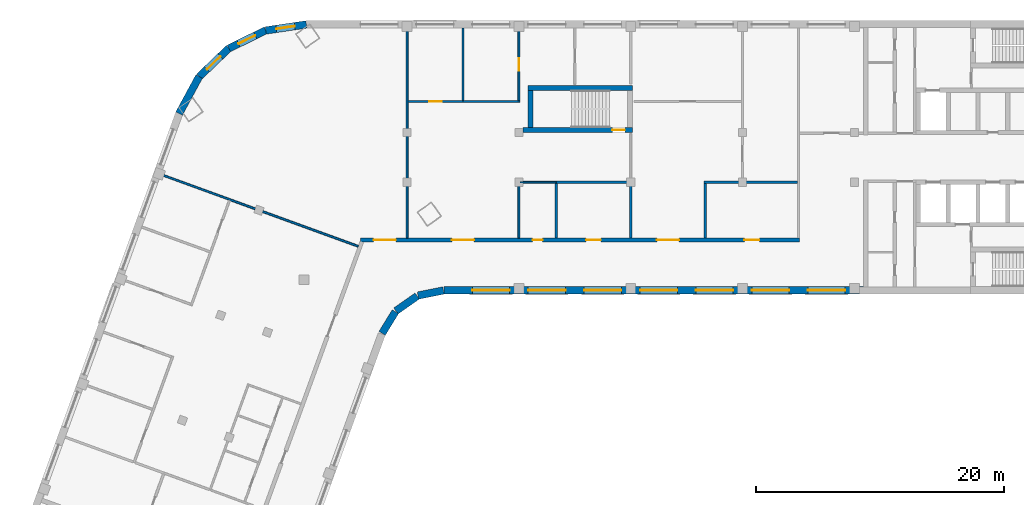
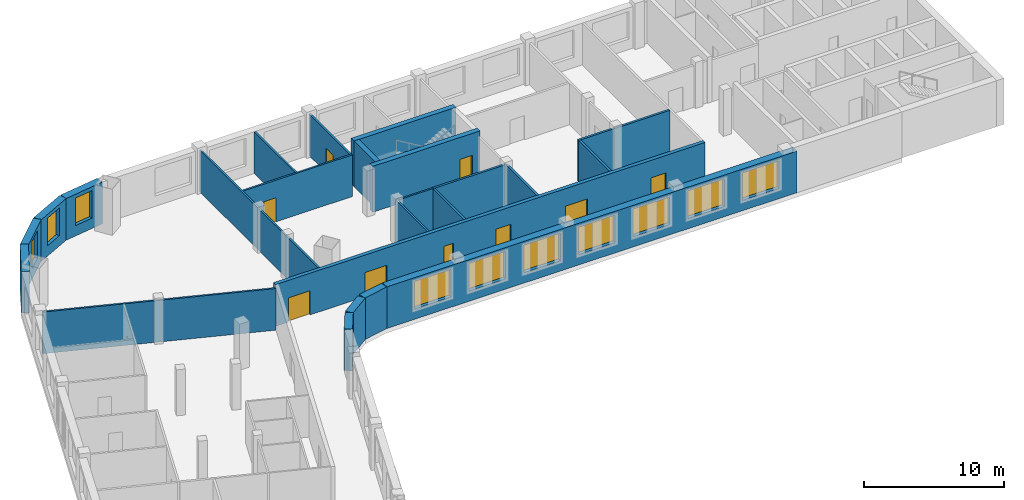
# One storey, part 4 of 8: 24 walls, 10 windows, 9 doors, 19 openings.
"""IFC4 building model written with IfcOpenShell, lengths in metres."""

from ifc_helpers import new_model, si_unit, direction, frame, frame_2d, origin, place, context, subcontext, project, spatial, rectangle, extrude, material, layer, layer_set, type_object, element, fill, save


model = new_model("IFC4")

# Units and contexts
model_context = context("Model", 3, precision=1e-05, world=origin(), true_north=direction((0.0, 1.0)))
body_context = subcontext(model_context, "Body", "Model", "MODEL_VIEW")
ifc_project = project(units=[si_unit("LENGTHUNIT", "METRE"), si_unit("AREAUNIT", "SQUARE_METRE"), si_unit("VOLUMEUNIT", "CUBIC_METRE"), si_unit("PLANEANGLEUNIT", "RADIAN"), si_unit("MASSUNIT", "GRAM", prefix="KILO")], contexts=[model_context])

# Site, building, storey
site_placement = place(None, origin())
site = spatial("IfcSite", under=ifc_project, at=site_placement, CompositionType="ELEMENT")
building_placement = place(site_placement, origin())
building = spatial("IfcBuilding", under=site, at=building_placement, Name="Skarvind Civic Tower", CompositionType="ELEMENT")
storey_placement = place(building_placement, frame((0.0, 0.0, 138.5)))
storey = spatial("IfcBuildingStorey", under=building, at=storey_placement, Name="L32", CompositionType="ELEMENT", Elevation=138.5)

# Walls
ifc_material_1 = material(Name="Acoustic gypsum board on steel studs", Category="steel")
ifc_layer_1 = layer(ifc_material_1, 0.175048828125)
ifc_layer_set_1 = layer_set([ifc_layer_1], Name="ACOUSTIC MEETING-ROOM PARTITION 175")
wall_type_1 = type_object("IfcWallType", Name="ACOUSTIC MEETING-ROOM PARTITION 175", PredefinedType="PARTITIONING", material=ifc_layer_set_1)
wall_1_placement = place(storey_placement, frame((66.25, 121.5, 0.0), z_axis=(0.0, 0.0, 1.0), x_axis=(0.0, 1.0, 0.0)))
element("IfcWall", 1, at=wall_1_placement, inside=storey, type_object=wall_type_1, Name="Partition 32.028", PredefinedType="PARTITIONING", context=body_context, shape_type="SweptSolid", body=[
    extrude(rectangle(XDim=4.412109375, YDim=0.175048828125, at=frame_2d((2.2060546875, 0.0))), origin(), (0.0, 0.0, 1.0), 3.625),
])
wall_2_placement = place(storey_placement, frame((66.25, 126.0, 0.0), z_axis=(0.0, 0.0, 1.0), x_axis=(1.0, 0.0, 0.0)))
element("IfcWall", 2, at=wall_2_placement, inside=storey, type_object=wall_type_1, Name="Partition 32.030", PredefinedType="PARTITIONING", context=body_context, shape_type="SweptSolid", body=[
    extrude(rectangle(XDim=6.0, YDim=0.175048828125, at=frame_2d((3.0, 0.0))), origin(), (0.0, 0.0, 1.0), 3.625),
])
wall_3_placement = place(storey_placement, frame((72.25, 121.5, 0.0), z_axis=(0.0, 0.0, 1.0), x_axis=(0.0, 1.0, 0.0)))
element("IfcWall", 3, at=wall_3_placement, inside=storey, type_object=wall_type_1, Name="Partition 32.032", PredefinedType="PARTITIONING", context=body_context, shape_type="SweptSolid", body=[
    extrude(rectangle(XDim=4.427978515625, YDim=0.175048828125, at=frame_2d((2.2138671875, 0.0))), origin(), (0.0, 0.0, 1.0), 3.625),
])
wall_4_placement = place(storey_placement, frame((78.25, 125.912109375, 0.0), z_axis=(0.0, 0.0, 1.0), x_axis=(0.0, -1.0, 0.0)))
element("IfcWall", 4, at=wall_4_placement, inside=storey, type_object=wall_type_1, Name="Partition 32.035", PredefinedType="PARTITIONING", context=body_context, shape_type="SweptSolid", body=[
    extrude(rectangle(XDim=4.412109375, YDim=0.175048828125, at=frame_2d((2.2060546875, 0.0))), origin(), (0.0, 0.0, 1.0), 3.625),
])
wall_5_placement = place(storey_placement, frame((78.162109375, 126.0, 0.0), z_axis=(0.0, 0.0, 1.0), x_axis=(1.0, 0.0, 0.0)))
element("IfcWall", 5, at=wall_5_placement, inside=storey, type_object=wall_type_1, Name="Partition 32.036", PredefinedType="PARTITIONING", context=body_context, shape_type="SweptSolid", body=[
    extrude(rectangle(XDim=7.5, YDim=0.175048828125, at=frame_2d((3.75, 0.0))), origin(), (0.0, 0.0, 1.0), 3.625),
])

# Wall, openings, doors
ifc_material_2 = material(Name="Fire-rated gypsum board on steel studs", Category="steel")
ifc_layer_2 = layer(ifc_material_2, 0.300048828125)
ifc_layer_set_2 = layer_set([ifc_layer_2], Name="CORRIDOR WALL 300")
wall_type_2 = type_object("IfcWallType", Name="CORRIDOR WALL 300", PredefinedType="PARTITIONING", material=ifc_layer_set_2)
wall_6_placement = place(storey_placement, frame((50.506103515625, 121.35009765625, 0.0), z_axis=(0.0, 0.0, 1.0), x_axis=(1.0, 0.0, 0.0)))
wall_6 = element("IfcWall", 6, at=wall_6_placement, inside=storey, type_object=wall_type_2, Name="Partition 32.022", PredefinedType="PARTITIONING", context=body_context, shape_type="SweptSolid", body=[
    extrude(rectangle(XDim=35.331787109375, YDim=0.300048828125, at=frame_2d((17.666015625, 0.0))), origin(), (0.0, 0.0, 1.0), 3.625),
])
opening_1_placement = place(wall_6_placement, frame((30.89404296875, 0.0, 0.0)))
opening_1 = element("IfcOpeningElement", 7, at=opening_1_placement, cuts=wall_6, Name="Opening L32-D002", PredefinedType="OPENING", context=body_context, shape_type="SweptSolid", body=[
    extrude(rectangle(XDim=1.199951171875, YDim=2.10009765625, at=frame_2d((0.60009765625, 1.050048828125))), frame((0.0, 0.159912109375, 0.0), z_axis=(0.0, -1.0, 0.0), x_axis=(1.0, 0.0, 0.0)), (0.0, 0.0, 1.0), 0.320068359375),
])
opening_2_placement = place(wall_6_placement, frame((23.843994140625, 0.0, 0.0)))
opening_2 = element("IfcOpeningElement", 8, at=opening_2_placement, cuts=wall_6, Name="Opening L32-D004", PredefinedType="OPENING", context=body_context, shape_type="SweptSolid", body=[
    extrude(rectangle(XDim=1.800048828125, YDim=2.10009765625, at=frame_2d((0.89990234375, 1.050048828125))), frame((0.0, 0.159912109375, 0.0), z_axis=(0.0, -1.0, 0.0), x_axis=(1.0, 0.0, 0.0)), (0.0, 0.0, 1.0), 0.320068359375),
])
opening_3_placement = place(wall_6_placement, frame((18.14404296875, 0.0, 0.0)))
opening_3 = element("IfcOpeningElement", 9, at=opening_3_placement, cuts=wall_6, Name="Opening L32-D005", PredefinedType="OPENING", context=body_context, shape_type="SweptSolid", body=[
    extrude(rectangle(XDim=1.199951171875, YDim=2.10009765625, at=frame_2d((0.60009765625, 1.050048828125))), frame((0.0, 0.159912109375, 0.0), z_axis=(0.0, -1.0, 0.0), x_axis=(1.0, 0.0, 0.0)), (0.0, 0.0, 1.0), 0.320068359375),
])
opening_4_placement = place(wall_6_placement, frame((13.843994140625, 0.0, 0.0)))
opening_4 = element("IfcOpeningElement", 10, at=opening_4_placement, cuts=wall_6, Name="Opening L32-D006", PredefinedType="OPENING", context=body_context, shape_type="SweptSolid", body=[
    extrude(rectangle(XDim=0.800048828125, YDim=2.10009765625, at=frame_2d((0.39990234375, 1.050048828125))), frame((0.0, 0.159912109375, 0.0), z_axis=(0.0, -1.0, 0.0), x_axis=(1.0, 0.0, 0.0)), (0.0, 0.0, 1.0), 0.320068359375),
])
opening_5_placement = place(wall_6_placement, frame((7.343994140625, 0.0, 0.0)))
opening_5 = element("IfcOpeningElement", 11, at=opening_5_placement, cuts=wall_6, Name="Opening L32-D010", PredefinedType="OPENING", context=body_context, shape_type="SweptSolid", body=[
    extrude(rectangle(XDim=1.800048828125, YDim=2.10009765625, at=frame_2d((0.89990234375, 1.050048828125))), frame((0.0, 0.159912109375, 0.0), z_axis=(0.0, -1.0, 0.0), x_axis=(1.0, 0.0, 0.0)), (0.0, 0.0, 1.0), 0.320068359375),
])
opening_6_placement = place(wall_6_placement, frame((1.047119140625, 0.0, 0.0)))
opening_6 = element("IfcOpeningElement", 12, at=opening_6_placement, cuts=wall_6, Name="Opening L32-D021", PredefinedType="OPENING", context=body_context, shape_type="SweptSolid", body=[
    extrude(rectangle(XDim=1.800048828125, YDim=2.10009765625, at=frame_2d((0.89990234375, 1.050048828125))), frame((0.0, 0.159912109375, 0.0), z_axis=(0.0, -1.0, 0.0), x_axis=(1.0, 0.0, 0.0)), (0.0, 0.0, 1.0), 0.320068359375),
])
ifc_material_3 = material(Name="Fire-rated timber door leaf", Category="wood")
door_type_1 = type_object("IfcDoorType", Name="FD4 1800x2100", OperationType="NOTDEFINED", PredefinedType="DOOR", material=ifc_material_3)
door_1_placement = place(opening_2_placement, origin())
door_1 = element("IfcDoor", 13, at=door_1_placement, inside=storey, type_object=door_type_1, Name="Door L32-D004", OperationType="DOUBLE_DOOR_SINGLE_SWING", OverallHeight=2.10009765625, OverallWidth=1.800048828125, PredefinedType="DOOR", context=body_context, shape_type="SweptSolid", body=[
    extrude(rectangle(XDim=1.800048828125, YDim=2.10009765625, at=frame_2d((0.89990234375, 1.050048828125))), frame((0.0, 0.02490234375, 0.0), z_axis=(0.0, -1.0, 0.0), x_axis=(1.0, 0.0, 0.0)), (0.0, 0.0, 1.0), 0.050048828125),
])
fill(opening_2, door_1)
door_2_placement = place(opening_5_placement, origin())
door_2 = element("IfcDoor", 14, at=door_2_placement, inside=storey, type_object=door_type_1, Name="Door L32-D010", OperationType="DOUBLE_DOOR_SINGLE_SWING", OverallHeight=2.10009765625, OverallWidth=1.800048828125, PredefinedType="DOOR", context=body_context, shape_type="SweptSolid", body=[
    extrude(rectangle(XDim=1.800048828125, YDim=2.10009765625, at=frame_2d((0.89990234375, 1.050048828125))), frame((0.0, 0.02490234375, 0.0), z_axis=(0.0, -1.0, 0.0), x_axis=(1.0, 0.0, 0.0)), (0.0, 0.0, 1.0), 0.050048828125),
])
fill(opening_5, door_2)
door_3_placement = place(opening_6_placement, origin())
door_3 = element("IfcDoor", 15, at=door_3_placement, inside=storey, type_object=door_type_1, Name="Door L32-D021", OperationType="DOUBLE_DOOR_SINGLE_SWING", OverallHeight=2.10009765625, OverallWidth=1.800048828125, PredefinedType="DOOR", context=body_context, shape_type="SweptSolid", body=[
    extrude(rectangle(XDim=1.800048828125, YDim=2.10009765625, at=frame_2d((0.89990234375, 1.050048828125))), frame((0.0, 0.02490234375, 0.0), z_axis=(0.0, -1.0, 0.0), x_axis=(1.0, 0.0, 0.0)), (0.0, 0.0, 1.0), 0.050048828125),
])
fill(opening_6, door_3)
door_type_2 = type_object("IfcDoorType", Name="FD5 800x2100", OperationType="NOTDEFINED", PredefinedType="DOOR", material=ifc_material_3)
door_4_placement = place(opening_4_placement, origin())
door_4 = element("IfcDoor", 16, at=door_4_placement, inside=storey, type_object=door_type_2, Name="Door L32-D006", OperationType="SINGLE_SWING_LEFT", OverallHeight=2.10009765625, OverallWidth=0.800048828125, PredefinedType="DOOR", context=body_context, shape_type="SweptSolid", body=[
    extrude(rectangle(XDim=0.800048828125, YDim=2.10009765625, at=frame_2d((0.39990234375, 1.050048828125))), frame((0.0, 0.02490234375, 0.0), z_axis=(0.0, -1.0, 0.0), x_axis=(1.0, 0.0, 0.0)), (0.0, 0.0, 1.0), 0.050048828125),
])
fill(opening_4, door_4)
door_type_3 = type_object("IfcDoorType", Name="FD6 1200x2100 DOUBLE", OperationType="NOTDEFINED", PredefinedType="DOOR", material=ifc_material_3)
door_5_placement = place(opening_1_placement, origin())
door_5 = element("IfcDoor", 17, at=door_5_placement, inside=storey, type_object=door_type_3, Name="Door L32-D002", OperationType="DOUBLE_DOOR_SINGLE_SWING", OverallHeight=2.10009765625, OverallWidth=1.199951171875, PredefinedType="DOOR", context=body_context, shape_type="SweptSolid", body=[
    extrude(rectangle(XDim=1.199951171875, YDim=2.10009765625, at=frame_2d((0.60009765625, 1.050048828125))), frame((0.0, 0.02490234375, 0.0), z_axis=(0.0, -1.0, 0.0), x_axis=(1.0, 0.0, 0.0)), (0.0, 0.0, 1.0), 0.050048828125),
])
fill(opening_1, door_5)
door_6_placement = place(opening_3_placement, origin())
door_6 = element("IfcDoor", 18, at=door_6_placement, inside=storey, type_object=door_type_3, Name="Door L32-D005", OperationType="DOUBLE_DOOR_SINGLE_SWING", OverallHeight=2.10009765625, OverallWidth=1.199951171875, PredefinedType="DOOR", context=body_context, shape_type="SweptSolid", body=[
    extrude(rectangle(XDim=1.199951171875, YDim=2.10009765625, at=frame_2d((0.60009765625, 1.050048828125))), frame((0.0, 0.02490234375, 0.0), z_axis=(0.0, -1.0, 0.0), x_axis=(1.0, 0.0, 0.0)), (0.0, 0.0, 1.0), 0.050048828125),
])
fill(opening_3, door_6)

# Wall, opening, door
ifc_material_4 = material(Name="Concrete C60", Category="concrete")
ifc_layer_3 = layer(ifc_material_4, 0.39990234375)
ifc_layer_set_3 = layer_set([ifc_layer_3], Name="Core wall 400 C60")
wall_type_3 = type_object("IfcWallType", Name="Core wall 400 C60", PredefinedType="SHEAR", material=ifc_layer_set_3)
wall_7_placement = place(storey_placement, frame((63.574951171875, 130.199951171875, 0.0), z_axis=(0.0, 0.0, 1.0), x_axis=(1.0, 0.0, 0.0)))
wall_7 = element("IfcWall", 19, at=wall_7_placement, inside=storey, type_object=wall_type_3, Name="Core wall CM inner L32", PredefinedType="SHEAR", context=body_context, shape_type="SweptSolid", body=[
    extrude(rectangle(XDim=8.824951171875, YDim=0.39990234375, at=frame_2d((4.41259765625, 0.0))), origin(), (0.0, 0.0, 1.0), 4.0),
])
opening_7_placement = place(wall_7_placement, frame((7.199951171875, 0.0, 0.0)))
opening_7 = element("IfcOpeningElement", 20, at=opening_7_placement, cuts=wall_7, Name="Opening D-L32-CM-01", PredefinedType="OPENING", context=body_context, shape_type="SweptSolid", body=[
    extrude(rectangle(XDim=1.0, YDim=2.10009765625, at=frame_2d((0.5, 1.050048828125))), frame((0.0, 0.2099609375, 0.0), z_axis=(0.0, -1.0, 0.0), x_axis=(1.0, 0.0, 0.0)), (0.0, 0.0, 1.0), 0.419921875),
])
ifc_material_5 = material(Name="Fire-rated steel door", Category="steel")
door_type_4 = type_object("IfcDoorType", Name="Fire door 1000", OperationType="NOTDEFINED", PredefinedType="DOOR", material=ifc_material_5)
door_7_placement = place(opening_7_placement, origin())
door_7 = element("IfcDoor", 21, at=door_7_placement, inside=storey, type_object=door_type_4, Name="Fire door", OperationType="SINGLE_SWING_LEFT", OverallHeight=2.10009765625, OverallWidth=1.0, PredefinedType="DOOR", context=body_context, shape_type="SweptSolid", body=[
    extrude(rectangle(XDim=1.0, YDim=2.10009765625, at=frame_2d((0.5, 1.050048828125))), frame((0.0, 0.02490234375, 0.0), z_axis=(0.0, -1.0, 0.0), x_axis=(1.0, 0.0, 0.0)), (0.0, 0.0, 1.0), 0.050048828125),
])
fill(opening_7, door_7)

# Walls
wall_8_placement = place(storey_placement, frame((64.0, 133.60009765625, 0.0), z_axis=(0.0, 0.0, 1.0), x_axis=(1.0, 0.0, 0.0)))
element("IfcWall", 22, at=wall_8_placement, inside=storey, type_object=wall_type_3, Name="Core wall CM outer L32", PredefinedType="SHEAR", context=body_context, shape_type="SweptSolid", body=[
    extrude(rectangle(XDim=8.39990234375, YDim=0.39990234375, at=frame_2d((4.199951171875, 0.0))), origin(), (0.0, 0.0, 1.0), 4.0),
])
wall_9_placement = place(storey_placement, frame((64.199951171875, 130.39990234375, 0.0), z_axis=(0.0, 0.0, 1.0), x_axis=(0.0, 1.0, 0.0)))
element("IfcWall", 23, at=wall_9_placement, inside=storey, type_object=wall_type_3, Name="Core wall CM west L32", PredefinedType="SHEAR", context=body_context, shape_type="SweptSolid", body=[
    extrude(rectangle(XDim=3.0, YDim=0.39990234375, at=frame_2d((1.5, 0.0))), origin(), (0.0, 0.0, 1.0), 4.0),
])
ifc_material_6 = material(Name="Plasterboard partition on steel studs", Category="steel")
ifc_layer_4 = layer(ifc_material_6, 0.14990234375)
ifc_layer_set_4 = layer_set([ifc_layer_4], Name="PARTITION 150")
wall_type_4 = type_object("IfcWallType", Name="PARTITION 150", PredefinedType="PARTITIONING", material=ifc_layer_set_4)
wall_10_placement = place(storey_placement, frame((34.430908203125, 126.6240234375, 0.0), z_axis=(0.0, 0.0, 1.0), x_axis=(0.939678226331, -0.342059689177, 0.0)))
element("IfcWall", 24, at=wall_10_placement, inside=storey, type_object=wall_type_4, Name="Partition 32.006", PredefinedType="PARTITIONING", context=body_context, shape_type="SweptSolid", body=[
    extrude(rectangle(XDim=16.900634765625, YDim=0.14990234375, at=frame_2d((8.4501953125, 0.0))), origin(), (0.0, 0.0, 1.0), 3.625),
])
wall_11_placement = place(storey_placement, frame((54.25, 121.5, 0.0), z_axis=(0.0, 0.0, 1.0), x_axis=(0.0, 1.0, 0.0)))
element("IfcWall", 25, at=wall_11_placement, inside=storey, type_object=wall_type_4, Name="Partition 32.023", PredefinedType="PARTITIONING", context=body_context, shape_type="SweptSolid", body=[
    extrude(rectangle(XDim=16.89990234375, YDim=0.14990234375, at=frame_2d((8.449951171875, 0.0))), origin(), (0.0, 0.0, 1.0), 3.625),
])

# Wall, opening, door
wall_12_placement = place(storey_placement, frame((63.324951171875, 132.5, 0.0), z_axis=(0.0, 0.0, 1.0), x_axis=(-1.0, 0.0, 0.0)))
wall_12 = element("IfcWall", 26, at=wall_12_placement, inside=storey, type_object=wall_type_4, Name="Partition 32.024", PredefinedType="PARTITIONING", context=body_context, shape_type="SweptSolid", body=[
    extrude(rectangle(XDim=9.0, YDim=0.14990234375, at=frame_2d((4.5, 0.0))), origin(), (0.0, 0.0, 1.0), 3.625),
])
opening_8_placement = place(wall_12_placement, frame((6.297607421875, 0.0, 0.0)))
opening_8 = element("IfcOpeningElement", 27, at=opening_8_placement, cuts=wall_12, Name="Opening L32-D009", PredefinedType="OPENING", context=body_context, shape_type="SweptSolid", body=[
    extrude(rectangle(XDim=1.0, YDim=2.10009765625, at=frame_2d((0.5, 1.050048828125))), frame((0.0, 0.0849609375, 0.0), z_axis=(0.0, -1.0, 0.0), x_axis=(1.0, 0.0, 0.0)), (0.0, 0.0, 1.0), 0.169921875),
])
ifc_material_7 = material(Name="Timber door leaf", Category="wood")
door_type_5 = type_object("IfcDoorType", Name="D1 1000x2100", OperationType="NOTDEFINED", PredefinedType="DOOR", material=ifc_material_7)
door_8_placement = place(opening_8_placement, origin())
door_8 = element("IfcDoor", 28, at=door_8_placement, inside=storey, type_object=door_type_5, Name="Door L32-D009", OperationType="SINGLE_SWING_RIGHT", OverallHeight=2.10009765625, OverallWidth=1.0, PredefinedType="DOOR", context=body_context, shape_type="SweptSolid", body=[
    extrude(rectangle(XDim=1.0, YDim=2.10009765625, at=frame_2d((0.5, 1.050048828125))), frame((0.0, 0.02490234375, 0.0), z_axis=(0.0, -1.0, 0.0), x_axis=(1.0, 0.0, 0.0)), (0.0, 0.0, 1.0), 0.050048828125),
])
fill(opening_8, door_8)

# Walls
wall_13_placement = place(storey_placement, frame((58.75, 132.574951171875, 0.0), z_axis=(0.0, 0.0, 1.0), x_axis=(0.0, 1.0, 0.0)))
element("IfcWall", 29, at=wall_13_placement, inside=storey, type_object=wall_type_4, Name="Partition 32.025", PredefinedType="PARTITIONING", context=body_context, shape_type="SweptSolid", body=[
    extrude(rectangle(XDim=5.824951171875, YDim=0.14990234375, at=frame_2d((2.91259765625, 0.0))), origin(), (0.0, 0.0, 1.0), 3.625),
])
wall_14_placement = place(storey_placement, frame((63.25, 126.074951171875, 0.0), z_axis=(0.0, 0.0, 1.0), x_axis=(0.0, -1.0, 0.0)))
element("IfcWall", 30, at=wall_14_placement, inside=storey, type_object=wall_type_4, Name="Partition 32.026", PredefinedType="PARTITIONING", context=body_context, shape_type="SweptSolid", body=[
    extrude(rectangle(XDim=4.574951171875, YDim=0.14990234375, at=frame_2d((2.28759765625, 0.0))), origin(), (0.0, 0.0, 1.0), 3.625),
])

# Wall, opening, door
wall_15_placement = place(storey_placement, frame((63.25, 138.39990234375, 0.0), z_axis=(0.0, 0.0, 1.0), x_axis=(0.0, -1.0, 0.0)))
wall_15 = element("IfcWall", 31, at=wall_15_placement, inside=storey, type_object=wall_type_4, Name="Partition 32.027", PredefinedType="PARTITIONING", context=body_context, shape_type="SweptSolid", body=[
    extrude(rectangle(XDim=5.824951171875, YDim=0.14990234375, at=frame_2d((2.91259765625, 0.0))), origin(), (0.0, 0.0, 1.0), 3.625),
])
opening_9_placement = place(wall_15_placement, frame((2.422607421875, 0.0, 0.0)))
opening_9 = element("IfcOpeningElement", 32, at=opening_9_placement, cuts=wall_15, Name="Opening L32-D008", PredefinedType="OPENING", context=body_context, shape_type="SweptSolid", body=[
    extrude(rectangle(XDim=1.0, YDim=2.10009765625, at=frame_2d((0.5, 1.050048828125))), frame((0.0, 0.0849609375, 0.0), z_axis=(0.0, -1.0, 0.0), x_axis=(1.0, 0.0, 0.0)), (0.0, 0.0, 1.0), 0.169921875),
])
door_9_placement = place(opening_9_placement, origin())
door_9 = element("IfcDoor", 33, at=door_9_placement, inside=storey, type_object=door_type_5, Name="Door L32-D008", OperationType="SINGLE_SWING_LEFT", OverallHeight=2.10009765625, OverallWidth=1.0, PredefinedType="DOOR", context=body_context, shape_type="SweptSolid", body=[
    extrude(rectangle(XDim=1.0, YDim=2.10009765625, at=frame_2d((0.5, 1.050048828125))), frame((0.0, 0.02490234375, 0.0), z_axis=(0.0, -1.0, 0.0), x_axis=(1.0, 0.0, 0.0)), (0.0, 0.0, 1.0), 0.050048828125),
])
fill(opening_9, door_9)

# Walls
wall_16_placement = place(storey_placement, frame((66.25, 126.0, 0.0), z_axis=(0.0, 0.0, 1.0), x_axis=(-1.0, 0.0, 0.0)))
element("IfcWall", 34, at=wall_16_placement, inside=storey, type_object=wall_type_4, Name="Partition 32.029", PredefinedType="PARTITIONING", context=body_context, shape_type="SweptSolid", body=[
    extrude(rectangle(XDim=2.925048828125, YDim=0.14990234375, at=frame_2d((1.46240234375, 0.0))), origin(), (0.0, 0.0, 1.0), 3.625),
])
ifc_material_8 = material(Name="Limestone masonry cladding on insulated backing", Category="masonry")
ifc_layer_5 = layer(ifc_material_8, 0.60009765625)
ifc_layer_set_5 = layer_set([ifc_layer_5], Name="WX1 STONE FACADE WALL 600")
wall_type_5 = type_object("IfcWallType", Name="WX1 STONE FACADE WALL 600", PredefinedType="SOLIDWALL", material=ifc_layer_set_5)
wall_17_placement = place(storey_placement, frame((53.30517578125, 115.578369140625, 0.0), z_axis=(0.0, 0.0, 1.0), x_axis=(-0.522402266438, -0.852699168535, 0.0)))
element("IfcWall", 35, at=wall_17_placement, inside=storey, type_object=wall_type_5, Name="STONE FACADE WALL", PredefinedType="SOLIDWALL", context=body_context, shape_type="SweptSolid", body=[
    extrude(rectangle(XDim=2.042236328125, YDim=0.60009765625, at=frame_2d((1.02099609375, 0.0))), origin(), (0.0, 0.0, 1.0), 3.625),
])
for number, where, z_axis, x_axis, name in (
    (36, (55.061767578125, 116.8388671875, 0.0), (0.0, 0.0, 1.0), (-0.819122269495, -0.573618956815, 0.0), "STONE FACADE WALL"),
    (37, (57.17529296875, 117.2939453125, 0.0), (0.0, 0.0, 1.0), (-0.97996099083, -0.19918949885, 0.0), "STONE FACADE WALL"),
):
    element("IfcWall", number, at=place(storey_placement, frame(where, z_axis=z_axis, x_axis=x_axis)), inside=storey, type_object=wall_type_5, Name=name, PredefinedType="SOLIDWALL", context=body_context, shape_type="SweptSolid", body=[
        extrude(rectangle(XDim=2.09228515625, YDim=0.60009765625, at=frame_2d((1.046142578125, 0.0))), origin(), (0.0, 0.0, 1.0), 3.625),
    ])

# Wall, openings, windows
wall_18_placement = place(storey_placement, frame((90.97998046875, 117.300048828125, 0.0), z_axis=(0.0, 0.0, 1.0), x_axis=(-1.0, 0.0, 0.0)))
wall_18 = element("IfcWall", 38, at=wall_18_placement, inside=storey, type_object=wall_type_5, Name="STONE FACADE WALL", PredefinedType="SOLIDWALL", context=body_context, shape_type="SweptSolid", body=[
    extrude(rectangle(XDim=33.744873046875, YDim=0.60009765625, at=frame_2d((16.87255859375, 0.0))), origin(), (0.0, 0.0, 1.0), 3.625),
])
opening_10_placement = place(wall_18_placement, frame((1.47998046875, 0.0, 0.89990234375)))
opening_10 = element("IfcOpeningElement", 39, at=opening_10_placement, cuts=wall_18, Name="Opening WN1", PredefinedType="OPENING", context=body_context, shape_type="SweptSolid", body=[
    extrude(rectangle(XDim=3.0, YDim=2.39990234375, at=frame_2d((1.5, 1.199951171875))), frame((0.0, 0.31005859375, 0.0), z_axis=(0.0, -1.0, 0.0), x_axis=(1.0, 0.0, 0.0)), (0.0, 0.0, 1.0), 0.6201171875),
])
opening_11_placement = place(wall_18_placement, frame((5.97998046875, 0.0, 0.89990234375)))
opening_11 = element("IfcOpeningElement", 40, at=opening_11_placement, cuts=wall_18, Name="Opening WN1", PredefinedType="OPENING", context=body_context, shape_type="SweptSolid", body=[
    extrude(rectangle(XDim=3.0, YDim=2.39990234375, at=frame_2d((1.5, 1.199951171875))), frame((0.0, 0.31005859375, 0.0), z_axis=(0.0, -1.0, 0.0), x_axis=(1.0, 0.0, 0.0)), (0.0, 0.0, 1.0), 0.6201171875),
])
opening_12_placement = place(wall_18_placement, frame((10.47998046875, 0.0, 0.89990234375)))
opening_12 = element("IfcOpeningElement", 41, at=opening_12_placement, cuts=wall_18, Name="Opening WN1", PredefinedType="OPENING", context=body_context, shape_type="SweptSolid", body=[
    extrude(rectangle(XDim=3.0, YDim=2.39990234375, at=frame_2d((1.5, 1.199951171875))), frame((0.0, 0.31005859375, 0.0), z_axis=(0.0, -1.0, 0.0), x_axis=(1.0, 0.0, 0.0)), (0.0, 0.0, 1.0), 0.6201171875),
])
opening_13_placement = place(wall_18_placement, frame((14.97998046875, 0.0, 0.89990234375)))
opening_13 = element("IfcOpeningElement", 42, at=opening_13_placement, cuts=wall_18, Name="Opening WN1", PredefinedType="OPENING", context=body_context, shape_type="SweptSolid", body=[
    extrude(rectangle(XDim=3.0, YDim=2.39990234375, at=frame_2d((1.5, 1.199951171875))), frame((0.0, 0.31005859375, 0.0), z_axis=(0.0, -1.0, 0.0), x_axis=(1.0, 0.0, 0.0)), (0.0, 0.0, 1.0), 0.6201171875),
])
opening_14_placement = place(wall_18_placement, frame((19.47998046875, 0.0, 0.89990234375)))
opening_14 = element("IfcOpeningElement", 43, at=opening_14_placement, cuts=wall_18, Name="Opening WN1", PredefinedType="OPENING", context=body_context, shape_type="SweptSolid", body=[
    extrude(rectangle(XDim=3.0, YDim=2.39990234375, at=frame_2d((1.5, 1.199951171875))), frame((0.0, 0.31005859375, 0.0), z_axis=(0.0, -1.0, 0.0), x_axis=(1.0, 0.0, 0.0)), (0.0, 0.0, 1.0), 0.6201171875),
])
opening_15_placement = place(wall_18_placement, frame((23.97998046875, 0.0, 0.89990234375)))
opening_15 = element("IfcOpeningElement", 44, at=opening_15_placement, cuts=wall_18, Name="Opening WN1", PredefinedType="OPENING", context=body_context, shape_type="SweptSolid", body=[
    extrude(rectangle(XDim=3.0, YDim=2.39990234375, at=frame_2d((1.5, 1.199951171875))), frame((0.0, 0.31005859375, 0.0), z_axis=(0.0, -1.0, 0.0), x_axis=(1.0, 0.0, 0.0)), (0.0, 0.0, 1.0), 0.6201171875),
])
opening_16_placement = place(wall_18_placement, frame((28.47998046875, 0.0, 0.89990234375)))
opening_16 = element("IfcOpeningElement", 45, at=opening_16_placement, cuts=wall_18, Name="Opening WN1", PredefinedType="OPENING", context=body_context, shape_type="SweptSolid", body=[
    extrude(rectangle(XDim=3.0, YDim=2.39990234375, at=frame_2d((1.5, 1.199951171875))), frame((0.0, 0.31005859375, 0.0), z_axis=(0.0, -1.0, 0.0), x_axis=(1.0, 0.0, 0.0)), (0.0, 0.0, 1.0), 0.6201171875),
])
ifc_material_9 = material(Name="Timber frame, double glazing, timber-lined reveal", Category="wood")
window_type_1 = type_object("IfcWindowType", Name="WN1 PUNCHED STONE WINDOW 3000 x 2400", PartitioningType="SINGLE_PANEL", PredefinedType="WINDOW", material=ifc_material_9)
window_1_placement = place(opening_10_placement, origin())
window_1 = element("IfcWindow", 46, at=window_1_placement, inside=storey, type_object=window_type_1, Name="WN1 WINDOW", OverallHeight=2.39990234375, OverallWidth=3.0, PartitioningType="SINGLE_PANEL", PredefinedType="WINDOW", context=body_context, shape_type="SweptSolid", body=[
    extrude(rectangle(XDim=3.0, YDim=2.39990234375, at=frame_2d((1.5, 1.199951171875))), frame((0.0, 0.030029296875, 0.0), z_axis=(0.0, -1.0, 0.0), x_axis=(1.0, 0.0, 0.0)), (0.0, 0.0, 1.0), 0.06005859375),
])
fill(opening_10, window_1)
window_2_placement = place(opening_11_placement, origin())
window_2 = element("IfcWindow", 47, at=window_2_placement, inside=storey, type_object=window_type_1, Name="WN1 WINDOW", OverallHeight=2.39990234375, OverallWidth=3.0, PartitioningType="SINGLE_PANEL", PredefinedType="WINDOW", context=body_context, shape_type="SweptSolid", body=[
    extrude(rectangle(XDim=3.0, YDim=2.39990234375, at=frame_2d((1.5, 1.199951171875))), frame((0.0, 0.030029296875, 0.0), z_axis=(0.0, -1.0, 0.0), x_axis=(1.0, 0.0, 0.0)), (0.0, 0.0, 1.0), 0.06005859375),
])
fill(opening_11, window_2)
window_3_placement = place(opening_12_placement, origin())
window_3 = element("IfcWindow", 48, at=window_3_placement, inside=storey, type_object=window_type_1, Name="WN1 WINDOW", OverallHeight=2.39990234375, OverallWidth=3.0, PartitioningType="SINGLE_PANEL", PredefinedType="WINDOW", context=body_context, shape_type="SweptSolid", body=[
    extrude(rectangle(XDim=3.0, YDim=2.39990234375, at=frame_2d((1.5, 1.199951171875))), frame((0.0, 0.030029296875, 0.0), z_axis=(0.0, -1.0, 0.0), x_axis=(1.0, 0.0, 0.0)), (0.0, 0.0, 1.0), 0.06005859375),
])
fill(opening_12, window_3)
window_4_placement = place(opening_13_placement, origin())
window_4 = element("IfcWindow", 49, at=window_4_placement, inside=storey, type_object=window_type_1, Name="WN1 WINDOW", OverallHeight=2.39990234375, OverallWidth=3.0, PartitioningType="SINGLE_PANEL", PredefinedType="WINDOW", context=body_context, shape_type="SweptSolid", body=[
    extrude(rectangle(XDim=3.0, YDim=2.39990234375, at=frame_2d((1.5, 1.199951171875))), frame((0.0, 0.030029296875, 0.0), z_axis=(0.0, -1.0, 0.0), x_axis=(1.0, 0.0, 0.0)), (0.0, 0.0, 1.0), 0.06005859375),
])
fill(opening_13, window_4)
window_5_placement = place(opening_14_placement, origin())
window_5 = element("IfcWindow", 50, at=window_5_placement, inside=storey, type_object=window_type_1, Name="WN1 WINDOW", OverallHeight=2.39990234375, OverallWidth=3.0, PartitioningType="SINGLE_PANEL", PredefinedType="WINDOW", context=body_context, shape_type="SweptSolid", body=[
    extrude(rectangle(XDim=3.0, YDim=2.39990234375, at=frame_2d((1.5, 1.199951171875))), frame((0.0, 0.030029296875, 0.0), z_axis=(0.0, -1.0, 0.0), x_axis=(1.0, 0.0, 0.0)), (0.0, 0.0, 1.0), 0.06005859375),
])
fill(opening_14, window_5)
window_6_placement = place(opening_15_placement, origin())
window_6 = element("IfcWindow", 51, at=window_6_placement, inside=storey, type_object=window_type_1, Name="WN1 WINDOW", OverallHeight=2.39990234375, OverallWidth=3.0, PartitioningType="SINGLE_PANEL", PredefinedType="WINDOW", context=body_context, shape_type="SweptSolid", body=[
    extrude(rectangle(XDim=3.0, YDim=2.39990234375, at=frame_2d((1.5, 1.199951171875))), frame((0.0, 0.030029296875, 0.0), z_axis=(0.0, -1.0, 0.0), x_axis=(1.0, 0.0, 0.0)), (0.0, 0.0, 1.0), 0.06005859375),
])
fill(opening_15, window_6)
window_7_placement = place(opening_16_placement, origin())
window_7 = element("IfcWindow", 52, at=window_7_placement, inside=storey, type_object=window_type_1, Name="WN1 WINDOW", OverallHeight=2.39990234375, OverallWidth=3.0, PartitioningType="SINGLE_PANEL", PredefinedType="WINDOW", context=body_context, shape_type="SweptSolid", body=[
    extrude(rectangle(XDim=3.0, YDim=2.39990234375, at=frame_2d((1.5, 1.199951171875))), frame((0.0, 0.030029296875, 0.0), z_axis=(0.0, -1.0, 0.0), x_axis=(1.0, 0.0, 0.0)), (0.0, 0.0, 1.0), 0.06005859375),
])
fill(opening_16, window_7)

# Wall, opening, window
wall_19_placement = place(storey_placement, frame((42.872802734375, 138.21728515625, 0.0), z_axis=(0.0, 0.0, 1.0), x_axis=(0.989110792192, 0.14717282619, 0.0)))
wall_19 = element("IfcWall", 53, at=wall_19_placement, inside=storey, type_object=wall_type_5, Name="STONE FACADE WALL", PredefinedType="SOLIDWALL", context=body_context, shape_type="SweptSolid", body=[
    extrude(rectangle(XDim=3.302734375, YDim=0.60009765625, at=frame_2d((1.6513671875, 0.0))), origin(), (0.0, 0.0, 1.0), 3.625),
])
opening_17_placement = place(wall_19_placement, frame((0.8564453125, 0.0, 0.89990234375)))
opening_17 = element("IfcOpeningElement", 54, at=opening_17_placement, cuts=wall_19, Name="Opening WN8", PredefinedType="OPENING", context=body_context, shape_type="SweptSolid", body=[
    extrude(rectangle(XDim=1.5, YDim=2.39990234375, at=frame_2d((0.75, 1.199951171875))), frame((0.0, 0.31005859375, 0.0), z_axis=(0.0, -1.0, 0.0), x_axis=(1.0, 0.0, 0.0)), (0.0, 0.0, 1.0), 0.6201171875),
])
window_type_2 = type_object("IfcWindowType", Name="WN8 ARC BAY WINDOW 1500 x 2400", PartitioningType="SINGLE_PANEL", PredefinedType="WINDOW", material=ifc_material_9)
window_8_placement = place(opening_17_placement, origin())
window_8 = element("IfcWindow", 55, at=window_8_placement, inside=storey, type_object=window_type_2, Name="WN8 WINDOW", OverallHeight=2.39990234375, OverallWidth=1.5, PartitioningType="SINGLE_PANEL", PredefinedType="WINDOW", context=body_context, shape_type="SweptSolid", body=[
    extrude(rectangle(XDim=1.5, YDim=2.39990234375, at=frame_2d((0.75, 1.199951171875))), frame((0.0, 0.030029296875, 0.0), z_axis=(0.0, -1.0, 0.0), x_axis=(1.0, 0.0, 0.0)), (0.0, 0.0, 1.0), 0.06005859375),
])
fill(opening_17, window_8)

wall_20_placement = place(storey_placement, frame((39.9072265625, 136.77587890625, 0.0), z_axis=(0.0, 0.0, 1.0), x_axis=(0.89761231107, 0.440785819889, 0.0)))
wall_20 = element("IfcWall", 56, at=wall_20_placement, inside=storey, type_object=wall_type_5, Name="STONE FACADE WALL", PredefinedType="SOLIDWALL", context=body_context, shape_type="SweptSolid", body=[
    extrude(rectangle(XDim=3.302734375, YDim=0.60009765625, at=frame_2d((1.6513671875, 0.0))), origin(), (0.0, 0.0, 1.0), 3.625),
])
opening_18_placement = place(wall_20_placement, frame((0.8564453125, 0.0, 0.89990234375)))
opening_18 = element("IfcOpeningElement", 57, at=opening_18_placement, cuts=wall_20, Name="Opening WN8", PredefinedType="OPENING", context=body_context, shape_type="SweptSolid", body=[
    extrude(rectangle(XDim=1.5, YDim=2.39990234375, at=frame_2d((0.75, 1.199951171875))), frame((0.0, 0.31005859375, 0.0), z_axis=(0.0, -1.0, 0.0), x_axis=(1.0, 0.0, 0.0)), (0.0, 0.0, 1.0), 0.6201171875),
])
window_9_placement = place(opening_18_placement, origin())
window_9 = element("IfcWindow", 58, at=window_9_placement, inside=storey, type_object=window_type_2, Name="WN8 WINDOW", OverallHeight=2.39990234375, OverallWidth=1.5, PartitioningType="SINGLE_PANEL", PredefinedType="WINDOW", context=body_context, shape_type="SweptSolid", body=[
    extrude(rectangle(XDim=1.5, YDim=2.39990234375, at=frame_2d((0.75, 1.199951171875))), frame((0.0, 0.030029296875, 0.0), z_axis=(0.0, -1.0, 0.0), x_axis=(1.0, 0.0, 0.0)), (0.0, 0.0, 1.0), 0.06005859375),
])
fill(opening_18, window_9)

wall_21_placement = place(storey_placement, frame((37.520263671875, 134.501220703125, 0.0), z_axis=(0.0, 0.0, 1.0), x_axis=(0.72115684486, 0.692771827596, 0.0)))
wall_21 = element("IfcWall", 59, at=wall_21_placement, inside=storey, type_object=wall_type_5, Name="STONE FACADE WALL", PredefinedType="SOLIDWALL", context=body_context, shape_type="SweptSolid", body=[
    extrude(rectangle(XDim=3.302734375, YDim=0.60009765625, at=frame_2d((1.6513671875, 0.0))), origin(), (0.0, 0.0, 1.0), 3.625),
])
opening_19_placement = place(wall_21_placement, frame((0.8564453125, 0.0, 0.89990234375)))
opening_19 = element("IfcOpeningElement", 60, at=opening_19_placement, cuts=wall_21, Name="Opening WN8", PredefinedType="OPENING", context=body_context, shape_type="SweptSolid", body=[
    extrude(rectangle(XDim=1.5, YDim=2.39990234375, at=frame_2d((0.75, 1.199951171875))), frame((0.0, 0.31005859375, 0.0), z_axis=(0.0, -1.0, 0.0), x_axis=(1.0, 0.0, 0.0)), (0.0, 0.0, 1.0), 0.6201171875),
])
window_10_placement = place(opening_19_placement, origin())
window_10 = element("IfcWindow", 61, at=window_10_placement, inside=storey, type_object=window_type_2, Name="WN8 WINDOW", OverallHeight=2.39990234375, OverallWidth=1.5, PartitioningType="SINGLE_PANEL", PredefinedType="WINDOW", context=body_context, shape_type="SweptSolid", body=[
    extrude(rectangle(XDim=1.5, YDim=2.39990234375, at=frame_2d((0.75, 1.199951171875))), frame((0.0, 0.030029296875, 0.0), z_axis=(0.0, -1.0, 0.0), x_axis=(1.0, 0.0, 0.0)), (0.0, 0.0, 1.0), 0.06005859375),
])
fill(opening_19, window_10)

# Wall
wall_22_placement = place(storey_placement, frame((35.89453125, 131.529541015625, 0.0), z_axis=(0.0, 0.0, 1.0), x_axis=(0.476531180538, 0.879157570618, 0.0)))
element("IfcWall", 62, at=wall_22_placement, inside=storey, type_object=wall_type_5, Name="STONE FACADE WALL", PredefinedType="SOLIDWALL", context=body_context, shape_type="SweptSolid", body=[
    extrude(rectangle(XDim=3.392578125, YDim=0.60009765625, at=frame_2d((1.6962890625, 0.0))), origin(), (0.0, 0.0, 1.0), 3.625),
])

save(model, "model.ifc")
